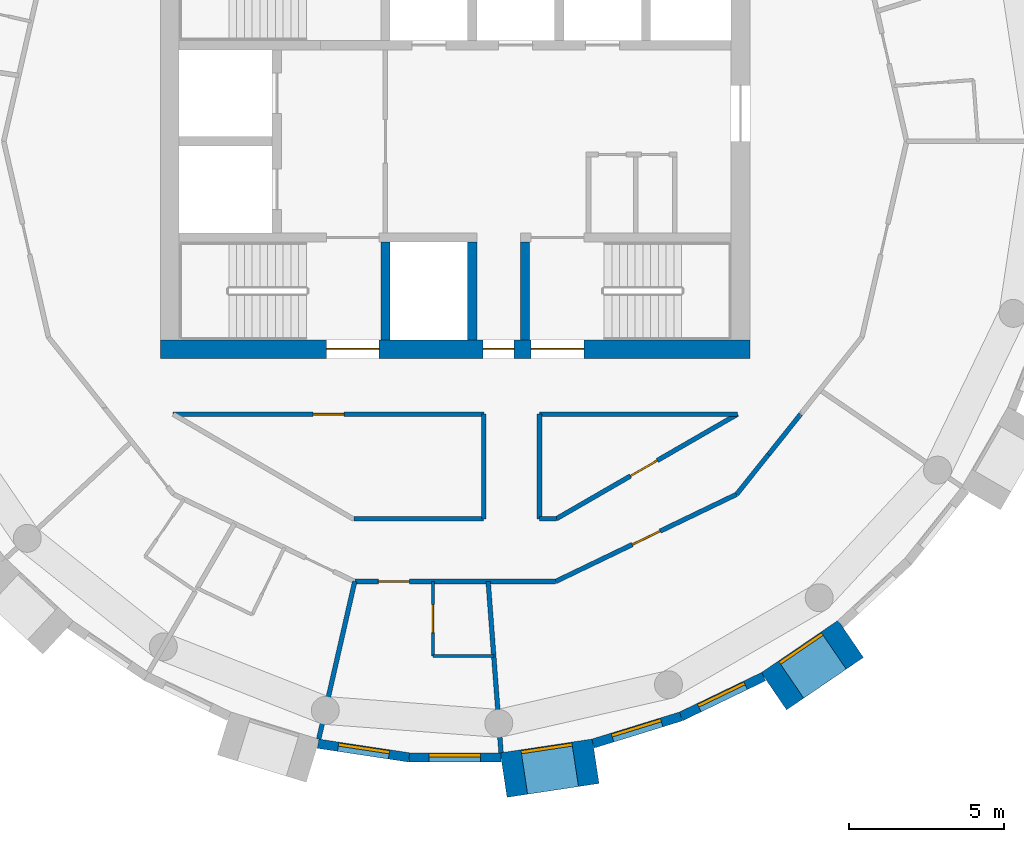
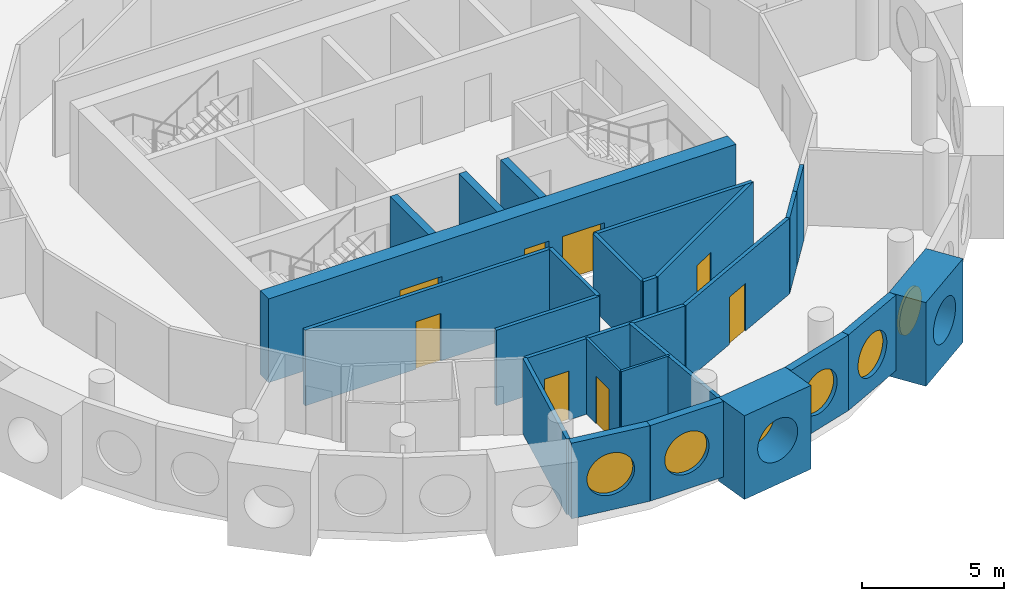
# One storey, part 4 of 13: 25 walls, 8 doors, 6 windows, 14 openings.
"""IFC4 building model written with IfcOpenShell, lengths in metres."""

from ifc_helpers import new_model, si_unit, direction, frame, frame_2d, origin, origin_2d, place, context, subcontext, project, spatial, rectangle, circle, extrude, material, layer, layer_set, type_object, element, fill, save


model = new_model("IFC4")

# Units and contexts
model_context = context("Model", 3, precision=1e-05, world=origin(), true_north=direction((0.0, 1.0)))
body_context = subcontext(model_context, "Body", "Model", "MODEL_VIEW")
ifc_project = project(units=[si_unit("LENGTHUNIT", "METRE"), si_unit("AREAUNIT", "SQUARE_METRE"), si_unit("VOLUMEUNIT", "CUBIC_METRE"), si_unit("PLANEANGLEUNIT", "RADIAN"), si_unit("MASSUNIT", "GRAM", prefix="KILO")], contexts=[model_context])

# Site, building, storey
site_placement = place(None, origin())
site = spatial("IfcSite", under=ifc_project, at=site_placement, CompositionType="ELEMENT")
building_placement = place(site_placement, origin())
building = spatial("IfcBuilding", under=site, at=building_placement, Name="Tracery Tower", CompositionType="ELEMENT")
storey_placement = place(building_placement, frame((0.0, 0.0, 294.60009765625)))
storey = spatial("IfcBuildingStorey", under=building, at=storey_placement, Name="L76", CompositionType="ELEMENT", Elevation=294.60009765625)

# Wall, openings, doors
ifc_material_1 = material(Name="Concrete C40/50", Category="concrete")
ifc_layer_1 = layer(ifc_material_1, 0.60009765625)
ifc_layer_set_1 = layer_set([ifc_layer_1], Name="Core wall 600 C40")
wall_type_1 = type_object("IfcWallType", Name="Core wall 600 C40", PredefinedType="SOLIDWALL", material=ifc_layer_set_1)
wall_1_placement = place(storey_placement, frame((-9.5, -6.699951171875, 0.0), z_axis=(0.0, 0.0, 1.0), x_axis=(1.0, 0.0, 0.0)))
wall_1 = element("IfcWall", 1, at=wall_1_placement, inside=storey, type_object=wall_type_1, Name="L76 outer S", PredefinedType="SOLIDWALL", context=body_context, shape_type="SweptSolid", body=[
    extrude(rectangle(XDim=19.0, YDim=0.60009765625, at=frame_2d((9.5, 0.0))), origin(), (0.0, 0.0, 1.0), 3.599853515625),
])
opening_1_placement = place(wall_1_placement, frame((10.39990234375, 0.0, 0.0)))
opening_1 = element("IfcOpeningElement", 2, at=opening_1_placement, cuts=wall_1, Name="Opening KD16", PredefinedType="OPENING", context=body_context, shape_type="SweptSolid", body=[
    extrude(rectangle(XDim=1.0, YDim=2.10009765625, at=frame_2d((0.5, 1.050048828125))), frame((0.0, 0.300048828125, 0.0), z_axis=(0.0, -1.0, 0.0), x_axis=(1.0, 0.0, 0.0)), (0.0, 0.0, 1.0), 0.60009765625),
])
opening_2_placement = place(wall_1_placement, frame((5.35009765625, 0.0, 0.0)))
opening_2 = element("IfcOpeningElement", 3, at=opening_2_placement, cuts=wall_1, Name="Opening KD3", PredefinedType="OPENING", context=body_context, shape_type="SweptSolid", body=[
    extrude(rectangle(XDim=1.699951171875, YDim=2.10009765625, at=frame_2d((0.85009765625, 1.050048828125))), frame((0.0, 0.300048828125, 0.0), z_axis=(0.0, -1.0, 0.0), x_axis=(1.0, 0.0, 0.0)), (0.0, 0.0, 1.0), 0.60009765625),
])
opening_3_placement = place(wall_1_placement, frame((11.949951171875, 0.0, 0.0)))
opening_3 = element("IfcOpeningElement", 4, at=opening_3_placement, cuts=wall_1, Name="Opening KD3", PredefinedType="OPENING", context=body_context, shape_type="SweptSolid", body=[
    extrude(rectangle(XDim=1.699951171875, YDim=2.10009765625, at=frame_2d((0.85009765625, 1.050048828125))), frame((0.0, 0.300048828125, 0.0), z_axis=(0.0, -1.0, 0.0), x_axis=(1.0, 0.0, 0.0)), (0.0, 0.0, 1.0), 0.60009765625),
])
ifc_material_2 = material(Name="Steel fire door", Category="steel")
door_type_1 = type_object("IfcDoorType", Name="Core exit door 1000", OperationType="NOTDEFINED", PredefinedType="DOOR", material=ifc_material_2)
door_1_placement = place(opening_1_placement, origin())
door_1 = element("IfcDoor", 5, at=door_1_placement, inside=storey, type_object=door_type_1, Name="Core exit door", OperationType="SINGLE_SWING_LEFT", OverallHeight=2.10009765625, OverallWidth=1.0, PredefinedType="DOOR", context=body_context, shape_type="SweptSolid", body=[
    extrude(rectangle(XDim=1.0, YDim=2.10009765625, at=frame_2d((0.5, 1.050048828125))), frame((0.0, 0.02490234375, 0.0), z_axis=(0.0, -1.0, 0.0), x_axis=(1.0, 0.0, 0.0)), (0.0, 0.0, 1.0), 0.050048828125),
])
fill(opening_1, door_1)
ifc_material_3 = material(Name="Steel fire door", Category="steel")
door_type_2 = type_object("IfcDoorType", Name="Core stair door 1700 double", OperationType="NOTDEFINED", PredefinedType="DOOR", material=ifc_material_3)
door_2_placement = place(opening_2_placement, origin())
door_2 = element("IfcDoor", 6, at=door_2_placement, inside=storey, type_object=door_type_2, Name="Stair door ST1 exit", OperationType="DOUBLE_DOOR_SINGLE_SWING", OverallHeight=2.10009765625, OverallWidth=1.699951171875, PredefinedType="DOOR", context=body_context, shape_type="SweptSolid", body=[
    extrude(rectangle(XDim=1.699951171875, YDim=2.10009765625, at=frame_2d((0.85009765625, 1.050048828125))), frame((0.0, 0.02490234375, 0.0), z_axis=(0.0, -1.0, 0.0), x_axis=(1.0, 0.0, 0.0)), (0.0, 0.0, 1.0), 0.050048828125),
])
fill(opening_2, door_2)
door_3_placement = place(opening_3_placement, origin())
door_3 = element("IfcDoor", 7, at=door_3_placement, inside=storey, type_object=door_type_2, Name="Stair door ST2 exit", OperationType="DOUBLE_DOOR_SINGLE_SWING", OverallHeight=2.10009765625, OverallWidth=1.699951171875, PredefinedType="DOOR", context=body_context, shape_type="SweptSolid", body=[
    extrude(rectangle(XDim=1.699951171875, YDim=2.10009765625, at=frame_2d((0.85009765625, 1.050048828125))), frame((0.0, 0.02490234375, 0.0), z_axis=(0.0, -1.0, 0.0), x_axis=(1.0, 0.0, 0.0)), (0.0, 0.0, 1.0), 0.050048828125),
])
fill(opening_3, door_3)

# Wall, opening, window
ifc_material_4 = material(Name="Precast concrete C50/60", Category="concrete")
ifc_layer_2 = layer(ifc_material_4, 1.449951171875)
ifc_layer_set_2 = layer_set([ifc_layer_2], Name="Deep-set bay unit 3000 x 3600, slab edge 350")
wall_type_2 = type_object("IfcWallType", Name="Deep-set bay unit 3000 x 3600, slab edge 350", PredefinedType="ELEMENTEDWALL", material=ifc_layer_set_2)
wall_2_placement = place(storey_placement, frame((1.563232421875, -20.436279296875, -0.35009765625), z_axis=(0.0, 0.0, 1.0), x_axis=(0.988836445254, 0.149004981587, 0.0)))
wall_2 = element("IfcWall", 8, at=wall_2_placement, inside=storey, type_object=wall_type_2, Name="Deep-set bay unit 33 at L76", PredefinedType="ELEMENTEDWALL", context=body_context, shape_type="SweptSolid", body=[
    extrude(rectangle(XDim=3.0, YDim=1.449951171875, at=frame_2d((1.5, 0.0))), origin(), (0.0, 0.0, 1.0), 3.60009765625),
])
opening_4_placement = place(wall_2_placement, frame((1.5, 0.0, 1.89990234375)))
opening_4 = element("IfcOpeningElement", 9, at=opening_4_placement, cuts=wall_2, Name="Opening WN1", PredefinedType="OPENING", context=body_context, shape_type="SweptSolid", body=[
    extrude(circle(Radius=0.9000244140625, at=origin_2d()), frame((0.0, 0.73486328125, 0.0), z_axis=(0.0, -1.0, 0.0), x_axis=(1.0, 0.0, 0.0)), (0.0, 0.0, 1.0), 1.469970703125),
])
ifc_material_5 = material(Name="Aluminium frame with tinted double glazing", Category="aluminium")
window_type = type_object("IfcWindowType", Name="Round window 1800", PartitioningType="SINGLE_PANEL", PredefinedType="WINDOW", material=ifc_material_5)
window_1_placement = place(opening_4_placement, origin())
window_1 = element("IfcWindow", 10, at=window_1_placement, inside=storey, type_object=window_type, Name="Round window 33 at L76", OverallHeight=1.800048828125, OverallWidth=1.800048828125, PartitioningType="SINGLE_PANEL", PredefinedType="WINDOW", context=body_context, shape_type="SweptSolid", body=[
    extrude(circle(Radius=0.9000244140625, at=origin_2d()), frame((0.0, 0.69482421875, 0.0), z_axis=(0.0, -1.0, 0.0), x_axis=(1.0, 0.0, 0.0)), (0.0, 0.0, 1.0), 0.10009765625),
])
fill(opening_4, window_1)

wall_3_placement = place(storey_placement, frame((10.275390625, -17.734130859375, -0.35009765625), z_axis=(0.0, 0.0, 1.0), x_axis=(0.826246281157, 0.563309047392, 0.0)))
wall_3 = element("IfcWall", 11, at=wall_3_placement, inside=storey, type_object=wall_type_2, Name="Deep-set bay unit 36 at L76", PredefinedType="ELEMENTEDWALL", context=body_context, shape_type="SweptSolid", body=[
    extrude(rectangle(XDim=3.0, YDim=1.449951171875, at=frame_2d((1.5, 0.0))), origin(), (0.0, 0.0, 1.0), 3.60009765625),
])
opening_5_placement = place(wall_3_placement, frame((1.5, 0.0, 1.89990234375)))
opening_5 = element("IfcOpeningElement", 12, at=opening_5_placement, cuts=wall_3, Name="Opening WN1", PredefinedType="OPENING", context=body_context, shape_type="SweptSolid", body=[
    extrude(circle(Radius=0.9000244140625, at=origin_2d()), frame((0.0, 0.73486328125, 0.0), z_axis=(0.0, -1.0, 0.0), x_axis=(1.0, 0.0, 0.0)), (0.0, 0.0, 1.0), 1.469970703125),
])
window_2_placement = place(opening_5_placement, origin())
window_2 = element("IfcWindow", 13, at=window_2_placement, inside=storey, type_object=window_type, Name="Round window 36 at L76", OverallHeight=1.800048828125, OverallWidth=1.800048828125, PartitioningType="SINGLE_PANEL", PredefinedType="WINDOW", context=body_context, shape_type="SweptSolid", body=[
    extrude(circle(Radius=0.9000244140625, at=origin_2d()), frame((0.0, 0.69482421875, 0.0), z_axis=(0.0, -1.0, 0.0), x_axis=(1.0, 0.0, 0.0)), (0.0, 0.0, 1.0), 0.10009765625),
])
fill(opening_5, window_2)

ifc_material_6 = material(Name="Precast concrete C50/60", Category="concrete")
ifc_layer_3 = layer(ifc_material_6, 0.300048828125)
ifc_layer_set_3 = layer_set([ifc_layer_3], Name="Facade panel 3000 x 3250")
wall_type_3 = type_object("IfcWallType", Name="Facade panel 3000 x 3250", PredefinedType="SOLIDWALL", material=ifc_layer_set_3)
wall_4_placement = place(storey_placement, frame((-4.41796875, -19.424560546875, 0.0), z_axis=(0.0, 0.0, 1.0), x_axis=(0.988835775663, -0.149009425104, 0.0)))
wall_4 = element("IfcWall", 14, at=wall_4_placement, inside=storey, type_object=wall_type_3, Name="Facade panel 31 at L76", PredefinedType="SOLIDWALL", context=body_context, shape_type="SweptSolid", body=[
    extrude(rectangle(XDim=2.962158203125, YDim=0.300048828125, at=frame_2d((1.48095703125, 0.0))), origin(), (0.0, 0.0, 1.0), 3.25),
])
opening_6_placement = place(wall_4_placement, frame((1.48095703125, 0.0, 1.5498046875)))
opening_6 = element("IfcOpeningElement", 15, at=opening_6_placement, cuts=wall_4, Name="Opening WN1", PredefinedType="OPENING", context=body_context, shape_type="SweptSolid", body=[
    extrude(circle(Radius=0.9000244140625, at=origin_2d()), frame((0.0, 0.159912109375, 0.0), z_axis=(0.0, -1.0, 0.0), x_axis=(1.0, 0.0, 0.0)), (0.0, 0.0, 1.0), 0.320068359375),
])
window_3_placement = place(opening_6_placement, origin())
window_3 = element("IfcWindow", 16, at=window_3_placement, inside=storey, type_object=window_type, Name="Round window 31 at L76", OverallHeight=1.800048828125, OverallWidth=1.800048828125, PartitioningType="SINGLE_PANEL", PredefinedType="WINDOW", context=body_context, shape_type="SweptSolid", body=[
    extrude(circle(Radius=0.9000244140625, at=origin_2d()), frame((0.0, 0.1201171875, 0.0), z_axis=(0.0, -1.0, 0.0), x_axis=(1.0, 0.0, 0.0)), (0.0, 0.0, 1.0), 0.10009765625),
])
fill(opening_6, window_3)

wall_5_placement = place(storey_placement, frame((-1.48876953125, -19.865966796875, 0.0), z_axis=(0.0, 0.0, 1.0), x_axis=(1.0, 0.0, 0.0)))
wall_5 = element("IfcWall", 17, at=wall_5_placement, inside=storey, type_object=wall_type_3, Name="Facade panel 32 at L76", PredefinedType="SOLIDWALL", context=body_context, shape_type="SweptSolid", body=[
    extrude(rectangle(XDim=2.962158203125, YDim=0.300048828125, at=frame_2d((1.48095703125, 0.0))), origin(), (0.0, 0.0, 1.0), 3.25),
])
opening_7_placement = place(wall_5_placement, frame((1.48095703125, 0.0, 1.5498046875)))
opening_7 = element("IfcOpeningElement", 18, at=opening_7_placement, cuts=wall_5, Name="Opening WN1", PredefinedType="OPENING", context=body_context, shape_type="SweptSolid", body=[
    extrude(circle(Radius=0.9000244140625, at=origin_2d()), frame((0.0, 0.159912109375, 0.0), z_axis=(0.0, -1.0, 0.0), x_axis=(1.0, 0.0, 0.0)), (0.0, 0.0, 1.0), 0.320068359375),
])
window_4_placement = place(opening_7_placement, origin())
window_4 = element("IfcWindow", 19, at=window_4_placement, inside=storey, type_object=window_type, Name="Round window 32 at L76", OverallHeight=1.800048828125, OverallWidth=1.800048828125, PartitioningType="SINGLE_PANEL", PredefinedType="WINDOW", context=body_context, shape_type="SweptSolid", body=[
    extrude(circle(Radius=0.9000244140625, at=origin_2d()), frame((0.0, 0.1201171875, 0.0), z_axis=(0.0, -1.0, 0.0), x_axis=(1.0, 0.0, 0.0)), (0.0, 0.0, 1.0), 0.10009765625),
])
fill(opening_7, window_4)

wall_6_placement = place(storey_placement, frame((4.447509765625, -19.417724609375, 0.0), z_axis=(0.0, 0.0, 1.0), x_axis=(0.95558635705, 0.294711238707, 0.0)))
wall_6 = element("IfcWall", 20, at=wall_6_placement, inside=storey, type_object=wall_type_3, Name="Facade panel 34 at L76", PredefinedType="SOLIDWALL", context=body_context, shape_type="SweptSolid", body=[
    extrude(rectangle(XDim=2.96240234375, YDim=0.300048828125, at=frame_2d((1.481201171875, 0.0))), origin(), (0.0, 0.0, 1.0), 3.25),
])
opening_8_placement = place(wall_6_placement, frame((1.48095703125, 0.0, 1.5498046875)))
opening_8 = element("IfcOpeningElement", 21, at=opening_8_placement, cuts=wall_6, Name="Opening WN1", PredefinedType="OPENING", context=body_context, shape_type="SweptSolid", body=[
    extrude(circle(Radius=0.9000244140625, at=origin_2d()), frame((0.0, 0.159912109375, 0.0), z_axis=(0.0, -1.0, 0.0), x_axis=(1.0, 0.0, 0.0)), (0.0, 0.0, 1.0), 0.320068359375),
])
window_5_placement = place(opening_8_placement, origin())
window_5 = element("IfcWindow", 22, at=window_5_placement, inside=storey, type_object=window_type, Name="Round window 34 at L76", OverallHeight=1.800048828125, OverallWidth=1.800048828125, PartitioningType="SINGLE_PANEL", PredefinedType="WINDOW", context=body_context, shape_type="SweptSolid", body=[
    extrude(circle(Radius=0.9000244140625, at=origin_2d()), frame((0.0, 0.1201171875, 0.0), z_axis=(0.0, -1.0, 0.0), x_axis=(1.0, 0.0, 0.0)), (0.0, 0.0, 1.0), 0.10009765625),
])
fill(opening_8, window_5)

wall_7_placement = place(storey_placement, frame((7.2783203125, -18.544677734375, 0.0), z_axis=(0.0, 0.0, 1.0), x_axis=(0.900939615635, 0.433944476838, 0.0)))
wall_7 = element("IfcWall", 23, at=wall_7_placement, inside=storey, type_object=wall_type_3, Name="Facade panel 35 at L76", PredefinedType="SOLIDWALL", context=body_context, shape_type="SweptSolid", body=[
    extrude(rectangle(XDim=2.962158203125, YDim=0.300048828125, at=frame_2d((1.48095703125, 0.0))), origin(), (0.0, 0.0, 1.0), 3.25),
])
opening_9_placement = place(wall_7_placement, frame((1.48095703125, 0.0, 1.5498046875)))
opening_9 = element("IfcOpeningElement", 24, at=opening_9_placement, cuts=wall_7, Name="Opening WN1", PredefinedType="OPENING", context=body_context, shape_type="SweptSolid", body=[
    extrude(circle(Radius=0.9000244140625, at=origin_2d()), frame((0.0, 0.159912109375, 0.0), z_axis=(0.0, -1.0, 0.0), x_axis=(1.0, 0.0, 0.0)), (0.0, 0.0, 1.0), 0.320068359375),
])
window_6_placement = place(opening_9_placement, origin())
window_6 = element("IfcWindow", 25, at=window_6_placement, inside=storey, type_object=window_type, Name="Round window 35 at L76", OverallHeight=1.800048828125, OverallWidth=1.800048828125, PartitioningType="SINGLE_PANEL", PredefinedType="WINDOW", context=body_context, shape_type="SweptSolid", body=[
    extrude(circle(Radius=0.9000244140625, at=origin_2d()), frame((0.0, 0.1201171875, 0.0), z_axis=(0.0, -1.0, 0.0), x_axis=(1.0, 0.0, 0.0)), (0.0, 0.0, 1.0), 0.10009765625),
])
fill(opening_9, window_6)

# Wall, opening, door
ifc_material_7 = material(Name="Plasterboard on steel studs", Category="steel")
ifc_layer_4 = layer(ifc_material_7, 0.10009765625)
ifc_layer_set_4 = layer_set([ifc_layer_4], Name="Partition 100 wet wall")
wall_type_4 = type_object("IfcWallType", Name="Partition 100 wet wall", PredefinedType="PARTITIONING", material=ifc_layer_set_4)
wall_8_placement = place(storey_placement, frame((-0.721923828125, -16.592041015625, 0.0), z_axis=(0.0, 0.0, 1.0), x_axis=(0.0, 1.0, 0.0)))
wall_8 = element("IfcWall", 26, at=wall_8_placement, inside=storey, type_object=wall_type_4, Name="Wet wall RC7-068", PredefinedType="PARTITIONING", context=body_context, shape_type="SweptSolid", body=[
    extrude(rectangle(XDim=2.400146484375, YDim=0.10009765625, at=frame_2d((1.2001953125, 0.0))), origin(), (0.0, 0.0, 1.0), 3.25),
])
opening_10_placement = place(wall_8_placement, frame((0.75, 0.0, 0.0)))
opening_10 = element("IfcOpeningElement", 27, at=opening_10_placement, cuts=wall_8, Name="Opening RC7-19", PredefinedType="OPENING", context=body_context, shape_type="SweptSolid", body=[
    extrude(rectangle(XDim=0.89990234375, YDim=2.0400390625, at=frame_2d((0.449951171875, 1.02001953125))), frame((0.0, 0.050048828125, 0.0), z_axis=(0.0, -1.0, 0.0), x_axis=(1.0, 0.0, 0.0)), (0.0, 0.0, 1.0), 0.10009765625),
])
ifc_material_8 = material(Name="Timber door leaf", Category="wood")
door_type_3 = type_object("IfcDoorType", Name="Door en-suite 900", OperationType="NOTDEFINED", PredefinedType="DOOR", material=ifc_material_8)
door_4_placement = place(opening_10_placement, origin())
door_4 = element("IfcDoor", 28, at=door_4_placement, inside=storey, type_object=door_type_3, Name="En-suite door RC7-19", OperationType="SINGLE_SWING_RIGHT", OverallHeight=2.0400390625, OverallWidth=0.89990234375, PredefinedType="DOOR", context=body_context, shape_type="SweptSolid", body=[
    extrude(rectangle(XDim=0.89990234375, YDim=2.0400390625, at=frame_2d((0.449951171875, 1.02001953125))), frame((0.0, 0.02490234375, 0.0), z_axis=(0.0, -1.0, 0.0), x_axis=(1.0, 0.0, 0.0)), (0.0, 0.0, 1.0), 0.050048828125),
])
fill(opening_10, door_4)

# Walls
wall_9_placement = place(storey_placement, frame((-0.721923828125, -16.592041015625, 0.0), z_axis=(0.0, 0.0, 1.0), x_axis=(1.0, 0.0, 0.0)))
element("IfcWall", 29, at=wall_9_placement, inside=storey, type_object=wall_type_4, Name="Wet wall RC7-069", PredefinedType="PARTITIONING", context=body_context, shape_type="SweptSolid", body=[
    extrude(rectangle(XDim=1.96484375, YDim=0.10009765625, at=frame_2d((0.982421875, 0.0))), origin(), (0.0, 0.0, 1.0), 3.25),
])
ifc_material_9 = material(Name="Plasterboard on steel studs", Category="steel")
ifc_layer_5 = layer(ifc_material_9, 0.14990234375)
ifc_layer_set_5 = layer_set([ifc_layer_5], Name="Partition 150 acoustic unit wall")
wall_type_5 = type_object("IfcWallType", Name="Partition 150 acoustic unit wall", PredefinedType="PARTITIONING", material=ifc_layer_set_5)
wall_10_placement = place(storey_placement, frame((-4.39990234375, -19.27587890625, 0.0), z_axis=(0.0, 0.0, 1.0), x_axis=(0.222612505682, 0.974907007008, 0.0)))
element("IfcWall", 30, at=wall_10_placement, inside=storey, type_object=wall_type_5, Name="Unit wall RC7-067", PredefinedType="PARTITIONING", context=body_context, shape_type="SweptSolid", body=[
    extrude(rectangle(XDim=5.21484375, YDim=0.14990234375, at=frame_2d((2.607421875, 0.0))), origin(), (0.0, 0.0, 1.0), 3.25),
])
wall_11_placement = place(storey_placement, frame((1.0625, -14.192138671875, 0.0), z_axis=(0.0, 0.0, 1.0), x_axis=(0.075011267216, -0.997182686267, 0.0)))
element("IfcWall", 31, at=wall_11_placement, inside=storey, type_object=wall_type_5, Name="Unit wall RC7-070", PredefinedType="PARTITIONING", context=body_context, shape_type="SweptSolid", body=[
    extrude(rectangle(XDim=5.53955078125, YDim=0.14990234375, at=frame_2d((2.769775390625, 0.0))), origin(), (0.0, 0.0, 1.0), 3.25),
])

# Wall, opening, door
ifc_material_10 = material(Name="Plasterboard on steel studs", Category="steel")
ifc_layer_6 = layer(ifc_material_10, 0.14990234375)
ifc_layer_set_6 = layer_set([ifc_layer_6], Name="Partition 150 corridor wall")
wall_type_6 = type_object("IfcWallType", Name="Partition 150 corridor wall", PredefinedType="PARTITIONING", material=ifc_layer_set_6)
wall_12_placement = place(storey_placement, frame((-9.092041015625, -8.800048828125, 0.0), z_axis=(0.0, 0.0, 1.0), x_axis=(1.0, 0.0, 0.0)))
wall_12 = element("IfcWall", 32, at=wall_12_placement, inside=storey, type_object=wall_type_6, Name="Corridor wall RC7-010", PredefinedType="PARTITIONING", context=body_context, shape_type="SweptSolid", body=[
    extrude(rectangle(XDim=10.01611328125, YDim=0.14990234375, at=frame_2d((5.008056640625, 0.0))), origin(), (0.0, 0.0, 1.0), 3.25),
])
opening_11_placement = place(wall_12_placement, frame((4.508056640625, 0.0, 0.0)))
opening_11 = element("IfcOpeningElement", 33, at=opening_11_placement, cuts=wall_12, Name="Opening RC7-02", PredefinedType="OPENING", context=body_context, shape_type="SweptSolid", body=[
    extrude(rectangle(XDim=1.0, YDim=2.0400390625, at=frame_2d((0.5, 1.02001953125))), frame((0.0, 0.074951171875, 0.0), z_axis=(0.0, -1.0, 0.0), x_axis=(1.0, 0.0, 0.0)), (0.0, 0.0, 1.0), 0.14990234375),
])
ifc_material_11 = material(Name="Timber door leaf", Category="wood")
door_type_4 = type_object("IfcDoorType", Name="Door communal room 1000", OperationType="NOTDEFINED", PredefinedType="DOOR", material=ifc_material_11)
door_5_placement = place(opening_11_placement, origin())
door_5 = element("IfcDoor", 34, at=door_5_placement, inside=storey, type_object=door_type_4, Name="Communal room door RC7-02", OperationType="SINGLE_SWING_RIGHT", OverallHeight=2.0400390625, OverallWidth=1.0, PredefinedType="DOOR", context=body_context, shape_type="SweptSolid", body=[
    extrude(rectangle(XDim=1.0, YDim=2.0400390625, at=frame_2d((0.5, 1.02001953125))), frame((0.0, 0.02490234375, 0.0), z_axis=(0.0, -1.0, 0.0), x_axis=(1.0, 0.0, 0.0)), (0.0, 0.0, 1.0), 0.050048828125),
])
fill(opening_11, door_5)

# Walls
wall_13_placement = place(storey_placement, frame((2.716064453125, -8.800048828125, 0.0), z_axis=(0.0, 0.0, 1.0), x_axis=(1.0, 0.0, 0.0)))
element("IfcWall", 35, at=wall_13_placement, inside=storey, type_object=wall_type_6, Name="Corridor wall RC7-013", PredefinedType="PARTITIONING", context=body_context, shape_type="SweptSolid", body=[
    extrude(rectangle(XDim=6.384521484375, YDim=0.14990234375, at=frame_2d((3.1923828125, 0.0))), origin(), (0.0, 0.0, 1.0), 3.25),
])
wall_14_placement = place(storey_placement, frame((10.10107421875, -10.10107421875, 0.0), z_axis=(0.0, 0.0, 1.0), x_axis=(0.623098344652, 0.782143498913, 0.0)))
element("IfcWall", 36, at=wall_14_placement, inside=storey, type_object=wall_type_6, Name="Corridor wall RC7-019", PredefinedType="PARTITIONING", context=body_context, shape_type="SweptSolid", body=[
    extrude(rectangle(XDim=1.660888671875, YDim=0.14990234375, at=frame_2d((0.83056640625, 0.0))), origin(), (0.0, 0.0, 1.0), 3.25),
])
wall_15_placement = place(storey_placement, frame((-3.260986328125, -12.1708984375, 0.0), z_axis=(0.0, 0.0, 1.0), x_axis=(1.0, 0.0, 0.0)))
element("IfcWall", 37, at=wall_15_placement, inside=storey, type_object=wall_type_6, Name="Corridor wall RC7-034", PredefinedType="PARTITIONING", context=body_context, shape_type="SweptSolid", body=[
    extrude(rectangle(XDim=4.180908203125, YDim=0.14990234375, at=frame_2d((2.09033203125, 0.0))), origin(), (0.0, 0.0, 1.0), 3.25),
])
for number, where, z_axis, x_axis, name in (
    (38, (0.919921875, -12.1708984375, 0.0), (0.0, 0.0, 1.0), (0.0, 1.0, 0.0), "Corridor wall RC7-035"),
    (39, (2.719970703125, -12.1708984375, 0.0), (0.0, 0.0, 1.0), (0.0, 1.0, 0.0), "Corridor wall RC7-036"),
):
    element("IfcWall", number, at=place(storey_placement, frame(where, z_axis=z_axis, x_axis=x_axis)), inside=storey, type_object=wall_type_6, Name=name, PredefinedType="PARTITIONING", context=body_context, shape_type="SweptSolid", body=[
        extrude(rectangle(XDim=3.370849609375, YDim=0.14990234375, at=frame_2d((1.685546875, 0.0))), origin(), (0.0, 0.0, 1.0), 3.25),
    ])
wall_16_placement = place(storey_placement, frame((2.719970703125, -12.1708984375, 0.0), z_axis=(0.0, 0.0, 1.0), x_axis=(1.0, 0.0, 0.0)))
element("IfcWall", 40, at=wall_16_placement, inside=storey, type_object=wall_type_6, Name="Corridor wall RC7-037", PredefinedType="PARTITIONING", context=body_context, shape_type="SweptSolid", body=[
    extrude(rectangle(XDim=0.541015625, YDim=0.14990234375, at=frame_2d((0.2705078125, 0.0))), origin(), (0.0, 0.0, 1.0), 3.25),
])

# Wall, opening, door
wall_17_placement = place(storey_placement, frame((3.260986328125, -12.1708984375, 0.0), z_axis=(0.0, 0.0, 1.0), x_axis=(0.866066809554, 0.499928276245, 0.0)))
wall_17 = element("IfcWall", 41, at=wall_17_placement, inside=storey, type_object=wall_type_6, Name="Corridor wall RC7-038", PredefinedType="PARTITIONING", context=body_context, shape_type="SweptSolid", body=[
    extrude(rectangle(XDim=6.74267578125, YDim=0.14990234375, at=frame_2d((3.371337890625, 0.0))), origin(), (0.0, 0.0, 1.0), 3.25),
])
opening_12_placement = place(wall_17_placement, frame((2.760986328125, 0.0, 0.0)))
opening_12 = element("IfcOpeningElement", 42, at=opening_12_placement, cuts=wall_17, Name="Opening RC7-03", PredefinedType="OPENING", context=body_context, shape_type="SweptSolid", body=[
    extrude(rectangle(XDim=1.0, YDim=2.0400390625, at=frame_2d((0.5, 1.02001953125))), frame((0.0, 0.074951171875, 0.0), z_axis=(0.0, -1.0, 0.0), x_axis=(1.0, 0.0, 0.0)), (0.0, 0.0, 1.0), 0.14990234375),
])
door_6_placement = place(opening_12_placement, origin())
door_6 = element("IfcDoor", 43, at=door_6_placement, inside=storey, type_object=door_type_4, Name="Communal room door RC7-03", OperationType="SINGLE_SWING_LEFT", OverallHeight=2.0400390625, OverallWidth=1.0, PredefinedType="DOOR", context=body_context, shape_type="SweptSolid", body=[
    extrude(rectangle(XDim=1.0, YDim=2.0400390625, at=frame_2d((0.5, 1.02001953125))), frame((0.0, 0.02490234375, 0.0), z_axis=(0.0, -1.0, 0.0), x_axis=(1.0, 0.0, 0.0)), (0.0, 0.0, 1.0), 0.050048828125),
])
fill(opening_12, door_6)

wall_18_placement = place(storey_placement, frame((-3.239013671875, -14.19189453125, 0.0), z_axis=(0.0, 0.0, 1.0), x_axis=(1.0, 0.0, 0.0)))
wall_18 = element("IfcWall", 44, at=wall_18_placement, inside=storey, type_object=wall_type_6, Name="Corridor wall RC7-040", PredefinedType="PARTITIONING", context=body_context, shape_type="SweptSolid", body=[
    extrude(rectangle(XDim=6.47802734375, YDim=0.14990234375, at=frame_2d((3.239013671875, 0.0))), origin(), (0.0, 0.0, 1.0), 3.25),
])
opening_13_placement = place(wall_18_placement, frame((0.760986328125, 0.0, 0.0)))
opening_13 = element("IfcOpeningElement", 45, at=opening_13_placement, cuts=wall_18, Name="Opening RC7-20", PredefinedType="OPENING", context=body_context, shape_type="SweptSolid", body=[
    extrude(rectangle(XDim=1.0, YDim=2.10009765625, at=frame_2d((0.5, 1.050048828125))), frame((0.0, 0.074951171875, 0.0), z_axis=(0.0, -1.0, 0.0), x_axis=(1.0, 0.0, 0.0)), (0.0, 0.0, 1.0), 0.14990234375),
])
ifc_material_12 = material(Name="Timber door leaf", Category="wood")
door_type_5 = type_object("IfcDoorType", Name="Door unit entrance 1000", OperationType="NOTDEFINED", PredefinedType="DOOR", material=ifc_material_12)
door_7_placement = place(opening_13_placement, origin())
door_7 = element("IfcDoor", 46, at=door_7_placement, inside=storey, type_object=door_type_5, Name="Unit entrance door RC7-20", OperationType="SINGLE_SWING_LEFT", OverallHeight=2.10009765625, OverallWidth=1.0, PredefinedType="DOOR", context=body_context, shape_type="SweptSolid", body=[
    extrude(rectangle(XDim=1.0, YDim=2.10009765625, at=frame_2d((0.5, 1.050048828125))), frame((0.0, 0.02490234375, 0.0), z_axis=(0.0, -1.0, 0.0), x_axis=(1.0, 0.0, 0.0)), (0.0, 0.0, 1.0), 0.050048828125),
])
fill(opening_13, door_7)

# Wall
wall_19_placement = place(storey_placement, frame((9.075927734375, -11.381103515625, 0.0), z_axis=(0.0, 0.0, 1.0), x_axis=(0.623805208652, 0.781579849829, 0.0)))
element("IfcWall", 47, at=wall_19_placement, inside=storey, type_object=wall_type_6, Name="Corridor wall RC7-041", PredefinedType="PARTITIONING", context=body_context, shape_type="SweptSolid", body=[
    extrude(rectangle(XDim=1.64013671875, YDim=0.14990234375, at=frame_2d((0.820068359375, 0.0))), origin(), (0.0, 0.0, 1.0), 3.25),
])

# Wall, opening, door
wall_20_placement = place(storey_placement, frame((3.239013671875, -14.19189453125, 0.0), z_axis=(0.0, 0.0, 1.0), x_axis=(0.900976027191, 0.433868872388, 0.0)))
wall_20 = element("IfcWall", 48, at=wall_20_placement, inside=storey, type_object=wall_type_6, Name="Corridor wall RC7-042", PredefinedType="PARTITIONING", context=body_context, shape_type="SweptSolid", body=[
    extrude(rectangle(XDim=6.478515625, YDim=0.14990234375, at=frame_2d((3.2392578125, 0.0))), origin(), (0.0, 0.0, 1.0), 3.25),
])
opening_14_placement = place(wall_20_placement, frame((2.739501953125, 0.0, 0.0)))
opening_14 = element("IfcOpeningElement", 49, at=opening_14_placement, cuts=wall_20, Name="Opening RC7-21", PredefinedType="OPENING", context=body_context, shape_type="SweptSolid", body=[
    extrude(rectangle(XDim=1.0, YDim=2.0400390625, at=frame_2d((0.5, 1.02001953125))), frame((0.0, 0.074951171875, 0.0), z_axis=(0.0, -1.0, 0.0), x_axis=(1.0, 0.0, 0.0)), (0.0, 0.0, 1.0), 0.14990234375),
])
door_8_placement = place(opening_14_placement, origin())
door_8 = element("IfcDoor", 50, at=door_8_placement, inside=storey, type_object=door_type_4, Name="Communal room door RC7-21", OperationType="SINGLE_SWING_LEFT", OverallHeight=2.0400390625, OverallWidth=1.0, PredefinedType="DOOR", context=body_context, shape_type="SweptSolid", body=[
    extrude(rectangle(XDim=1.0, YDim=2.0400390625, at=frame_2d((0.5, 1.02001953125))), frame((0.0, 0.02490234375, 0.0), z_axis=(0.0, -1.0, 0.0), x_axis=(1.0, 0.0, 0.0)), (0.0, 0.0, 1.0), 0.050048828125),
])
fill(opening_14, door_8)

# Walls
ifc_material_13 = material(Name="Concrete C40/50", Category="concrete")
ifc_layer_7 = layer(ifc_material_13, 0.300048828125)
ifc_layer_set_7 = layer_set([ifc_layer_7], Name="Shaft wall 300 C40")
wall_type_7 = type_object("IfcWallType", Name="Shaft wall 300 C40", PredefinedType="SOLIDWALL", material=ifc_layer_set_7)
wall_21_placement = place(storey_placement, frame((0.550048828125, -6.39990234375, 0.0), z_axis=(0.0, 0.0, 1.0), x_axis=(0.0, 1.0, 0.0)))
element("IfcWall", 51, at=wall_21_placement, inside=storey, type_object=wall_type_7, Name="L76 OB2 E", PredefinedType="SOLIDWALL", context=body_context, shape_type="SweptSolid", body=[
    extrude(rectangle(XDim=3.14990234375, YDim=0.300048828125, at=frame_2d((1.574951171875, 0.0))), origin(), (0.0, 0.0, 1.0), 3.25),
])
ifc_material_14 = material(Name="Concrete C40/50", Category="concrete")
ifc_layer_8 = layer(ifc_material_14, 0.300048828125)
ifc_layer_set_8 = layer_set([ifc_layer_8], Name="Stair wall 300 C40")
wall_type_8 = type_object("IfcWallType", Name="Stair wall 300 C40", PredefinedType="SOLIDWALL", material=ifc_layer_set_8)
for number, where, z_axis, x_axis, name in (
    (52, (-2.25, -6.39990234375, 0.0), (0.0, 0.0, 1.0), (0.0, 1.0, 0.0), "L76 ST1 E"),
    (53, (2.25, -6.39990234375, 0.0), (0.0, 0.0, 1.0), (0.0, 1.0, 0.0), "L76 ST2 W"),
):
    element("IfcWall", number, at=place(storey_placement, frame(where, z_axis=z_axis, x_axis=x_axis)), inside=storey, type_object=wall_type_8, Name=name, PredefinedType="SOLIDWALL", context=body_context, shape_type="SweptSolid", body=[
        extrude(rectangle(XDim=3.14990234375, YDim=0.300048828125, at=frame_2d((1.574951171875, 0.0))), origin(), (0.0, 0.0, 1.0), 3.25),
    ])

save(model, "model.ifc")
